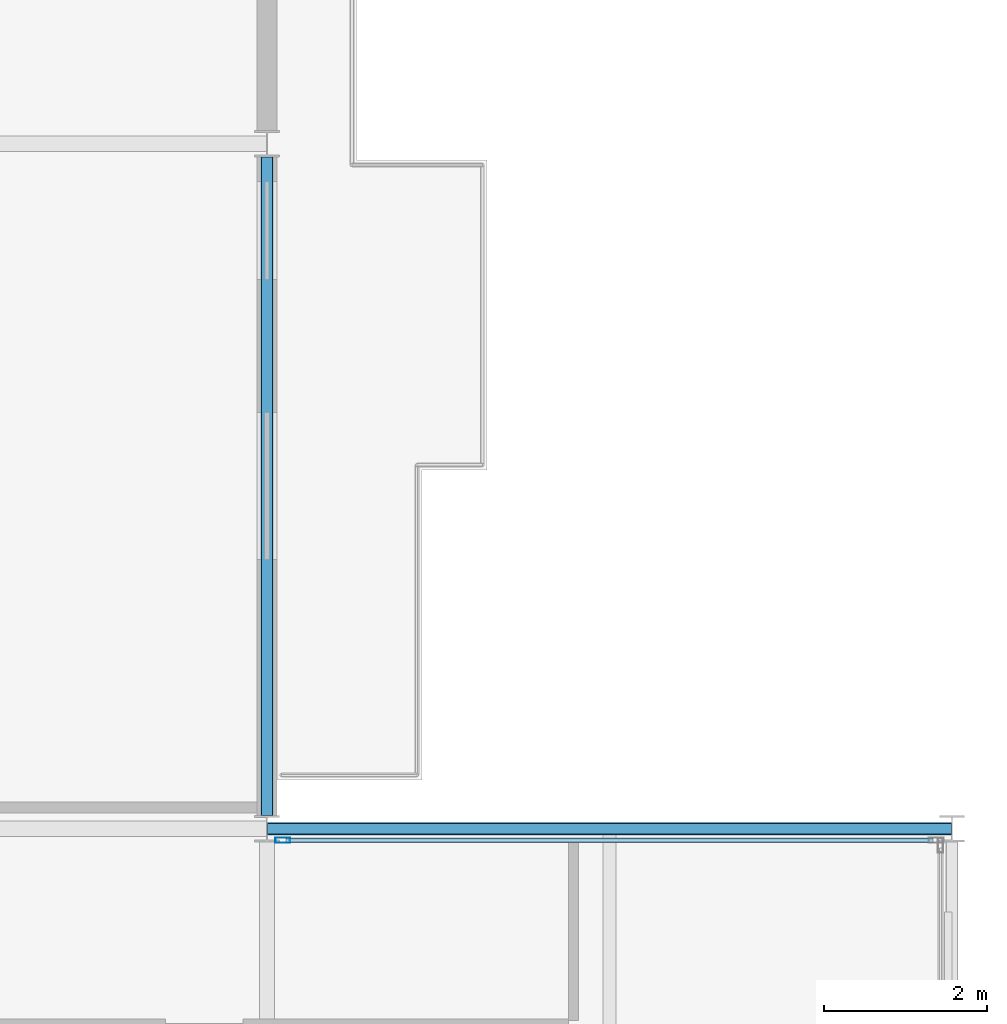
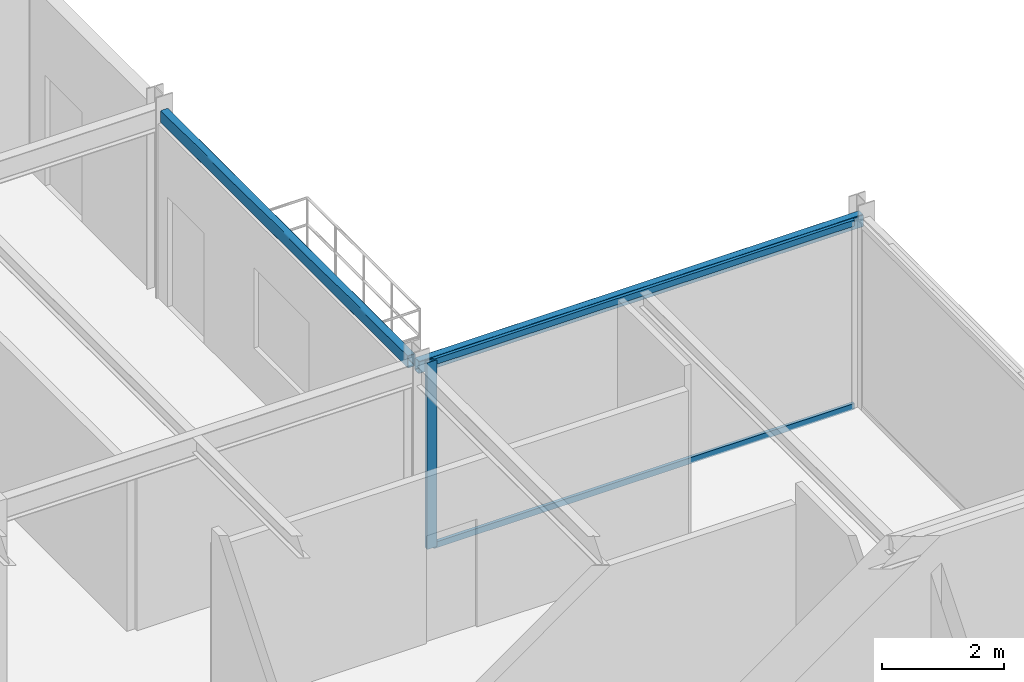
# One storey, part 13 of 24: 3 members, 2 beams, 1 element without a shape of its own.
"""IFC4 building model written with IfcOpenShell, lengths in metres."""

from ifc_helpers import new_model, si_unit, direction, frame, origin, origin_2d, place, context, subcontext, project, spatial, hollow_rectangle, extrude, material, layer, layer_set, material_profile, profile_set, type_object, element, aggregate, save


model = new_model("IFC4")

# Units and contexts
model_context = context("Model", 3, precision=1e-05, world=origin(), true_north=direction((0.0, 1.0)))
body_context = subcontext(model_context, "Body", "Model", "MODEL_VIEW")
ifc_project = project(units=[si_unit("LENGTHUNIT", "METRE"), si_unit("AREAUNIT", "SQUARE_METRE"), si_unit("VOLUMEUNIT", "CUBIC_METRE"), si_unit("PLANEANGLEUNIT", "RADIAN"), si_unit("MASSUNIT", "GRAM", prefix="KILO")], contexts=[model_context])

# Site, building, storey
site_placement = place(None, origin())
site = spatial("IfcSite", under=ifc_project, at=site_placement, CompositionType="ELEMENT")
building_placement = place(site_placement, origin())
building = spatial("IfcBuilding", under=site, at=building_placement, Name="Nerrivon Quay Data Exchange", CompositionType="ELEMENT")
storey_placement = place(building_placement, frame((0.0, 0.0, 310.199951171875)))
storey = spatial("IfcBuildingStorey", under=building, at=storey_placement, Name="L74", CompositionType="ELEMENT", Elevation=310.199951171875)

# Beams
ifc_material_1 = material(Name="Steel Grade C350L0 (350 MPa)", Category="steel")
ifc_material_profile_1 = material_profile(ifc_material_1, hollow_rectangle(XDim=0.14990234375, YDim=0.25, WallThickness=0.009033203125, InnerFilletRadius=0.013427734375, OuterFilletRadius=0.0224609375, at=origin_2d()), Name="250x150x9.0RHS")
ifc_profile_set_1 = profile_set([ifc_material_profile_1], Name="Steel Grade C350L0 (350 MPa)")
beam_type = type_object("IfcBeamType", Name="BM-SP4-250x150RHS", PredefinedType="SPANDREL", material=ifc_profile_set_1)
beam_1_placement = place(storey_placement, frame((25.2080078125, 25.199951171875, 3.60009765625), z_axis=(1.0, 0.0, 0.0), x_axis=(0.0, 1.0, 0.0)))
element("IfcBeam", 1, at=beam_1_placement, inside=storey, type_object=beam_type, Name="L74 EW Girder Y=25.2 (25.2..33.6)", PredefinedType="SPANDREL", context=body_context, shape_type="SweptSolid", body=[
    extrude(hollow_rectangle(XDim=0.14990234375, YDim=0.25, WallThickness=0.009033203125, InnerFilletRadius=0.013427734375, OuterFilletRadius=0.0224609375, at=origin_2d()), origin(), (0.0, 0.0, 1.0), 8.38427734375),
])
beam_2_placement = place(storey_placement, frame((25.199951171875, 25.363525390625, 3.60009765625), z_axis=(0.0, 1.0, 0.0), x_axis=(-1.0, 0.0, 0.0)))
element("IfcBeam", 2, at=beam_2_placement, inside=storey, type_object=beam_type, Name="L74 NS Girder X=25.2 (25.2..33.6)", PredefinedType="SPANDREL", context=body_context, shape_type="SweptSolid", body=[
    extrude(hollow_rectangle(XDim=0.14990234375, YDim=0.25, WallThickness=0.009033203125, InnerFilletRadius=0.013427734375, OuterFilletRadius=0.0224609375, at=origin_2d()), origin(), (0.0, 0.0, 1.0), 8.072998046875),
])

# Curtain wall, members
ifc_material_2 = material(Name="Anodised aluminium 6063-T6", Category="aluminium")
ifc_layer = layer(ifc_material_2, 0.195068359375)
ifc_layer_set = layer_set([ifc_layer], Name="Anodised aluminium 6063-T6")
curtain_wall_type = type_object("IfcCurtainWallType", Name="CW-SYS-06", PredefinedType="NOTDEFINED", material=ifc_layer_set)
curtain_wall_placement = place(storey_placement, origin())
curtain_wall = element("IfcCurtainWall", 3, at=curtain_wall_placement, inside=storey, type_object=curtain_wall_type, Name="L74 Unitised Curtain Wall 21", PredefinedType="NOTDEFINED")
ifc_material_profile_2 = material_profile(ifc_material_2, hollow_rectangle(XDim=0.06494140625, YDim=0.179931640625, WallThickness=0.00341796875, at=origin_2d()), Name="ALU-MULL-180x65")
ifc_profile_set_2 = profile_set([ifc_material_profile_2], Name="Anodised aluminium 6063-T6")
member_type_1 = type_object("IfcMemberType", Name="CWM-180x65", PredefinedType="MULLION", material=ifc_profile_set_2)
member_1_placement = place(storey_placement, frame((25.39306640625, 25.06005859375, 0.0), z_axis=(0.0, 0.0, 1.0), x_axis=(0.0, 1.0, 0.0)))
member_1 = element("IfcMember", 4, at=member_1_placement, type_object=member_type_1, Name="CW06 mullion 1", PredefinedType="MULLION", context=body_context, shape_type="SweptSolid", body=[
    extrude(hollow_rectangle(XDim=0.06494140625, YDim=0.179931640625, WallThickness=0.00341796875, at=origin_2d()), origin(), (0.0, 0.0, 1.0), 3.72509765625),
])
ifc_material_profile_3 = material_profile(ifc_material_2, hollow_rectangle(XDim=0.06005859375, YDim=0.1201171875, WallThickness=0.003173828125, at=origin_2d()), Name="ALU-TRAN-120x60")
ifc_profile_set_3 = profile_set([ifc_material_profile_3], Name="Anodised aluminium 6063-T6")
member_type_2 = type_object("IfcMemberType", Name="CWT-120x60", PredefinedType="USERDEFINED", material=ifc_profile_set_3)
member_2_placement = place(storey_placement, frame((25.430419921875, 25.06005859375, 0.032470703125), z_axis=(1.0, 0.0, 0.0), x_axis=(0.0, 1.0, 0.0)))
member_2 = element("IfcMember", 5, at=member_2_placement, type_object=member_type_2, Name="CW06 transom 1.1", ObjectType="TRANSOM", PredefinedType="USERDEFINED", context=body_context, shape_type="SweptSolid", body=[
    extrude(hollow_rectangle(XDim=0.06005859375, YDim=0.1201171875, WallThickness=0.003173828125, at=origin_2d()), origin(), (0.0, 0.0, 1.0), 7.93896484375),
])
member_3_placement = place(storey_placement, frame((25.430419921875, 25.06005859375, 3.692626953125), z_axis=(1.0, 0.0, 0.0), x_axis=(0.0, 1.0, 0.0)))
member_3 = element("IfcMember", 6, at=member_3_placement, type_object=member_type_2, Name="CW06 transom 1.2", ObjectType="TRANSOM", PredefinedType="USERDEFINED", context=body_context, shape_type="SweptSolid", body=[
    extrude(hollow_rectangle(XDim=0.06005859375, YDim=0.1201171875, WallThickness=0.003173828125, at=origin_2d()), origin(), (0.0, 0.0, 1.0), 7.93896484375),
])
aggregate(curtain_wall, [member_1, member_2, member_3])

save(model, "model.ifc")
